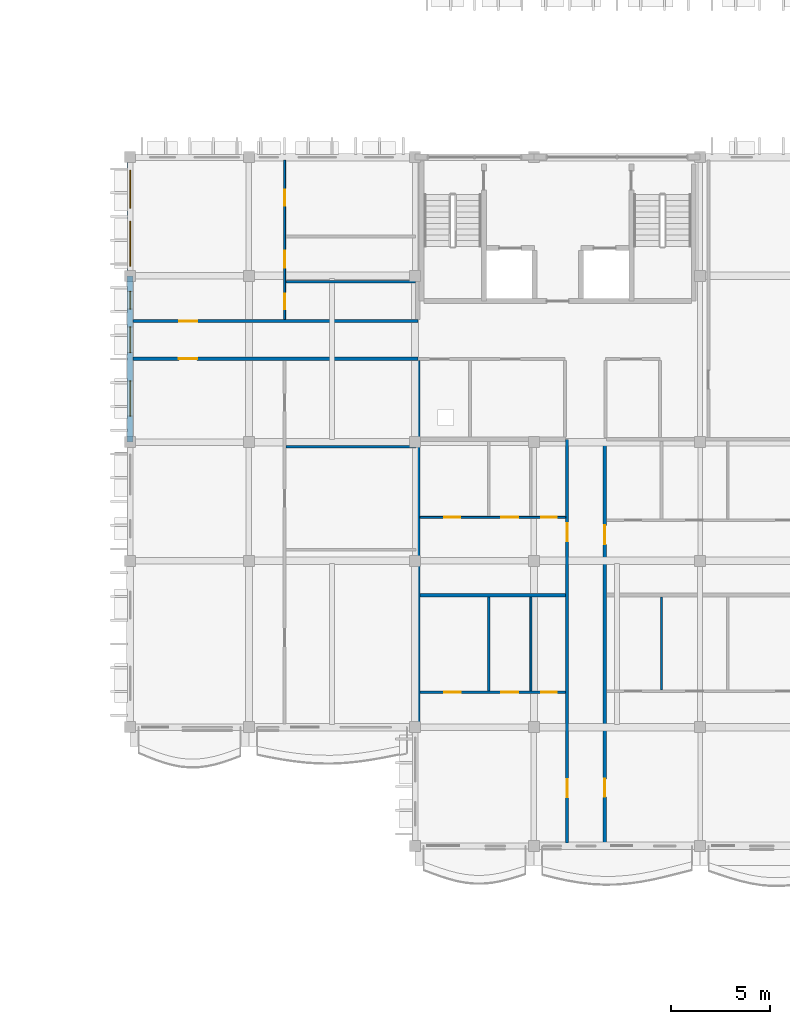
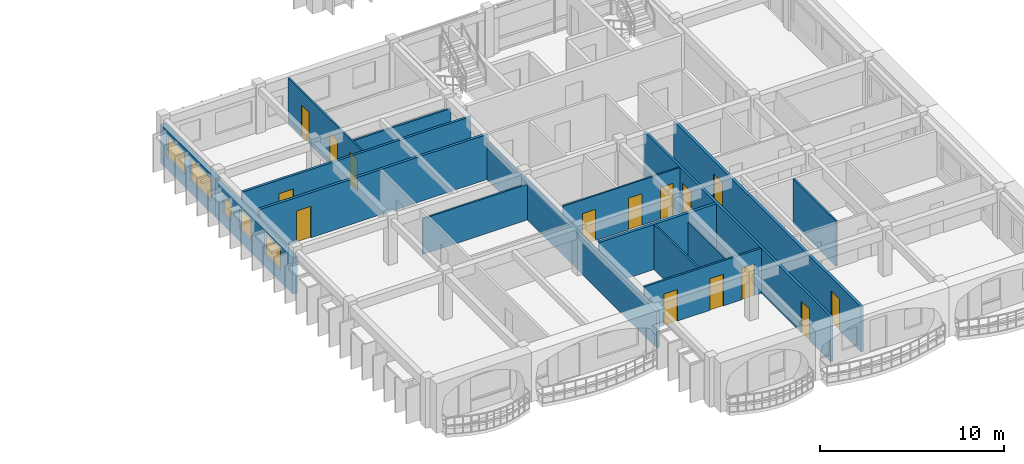
# One storey, part 32 of 70: 16 walls, 15 doors, 5 windows, 20 openings.
"""IFC4 building model written with IfcOpenShell, lengths in metres."""

from ifc_helpers import new_model, si_unit, direction, frame, frame_2d, origin, place, context, subcontext, project, spatial, rectangle, extrude, material, layer, layer_set, type_object, element, fill, save


model = new_model("IFC4")

# Units and contexts
model_context = context("Model", 3, precision=1e-05, world=origin(), true_north=direction((0.0, 1.0)))
body_context = subcontext(model_context, "Body", "Model", "MODEL_VIEW")
ifc_project = project(units=[si_unit("LENGTHUNIT", "METRE"), si_unit("AREAUNIT", "SQUARE_METRE"), si_unit("VOLUMEUNIT", "CUBIC_METRE"), si_unit("PLANEANGLEUNIT", "RADIAN"), si_unit("MASSUNIT", "GRAM", prefix="KILO"), si_unit("THERMODYNAMICTEMPERATUREUNIT", "KELVIN")], contexts=[model_context])

# Site, building, storey
site_placement = place(None, origin())
site = spatial("IfcSite", under=ifc_project, at=site_placement, CompositionType="ELEMENT")
building_placement = place(site_placement, origin())
building = spatial("IfcBuilding", under=site, at=building_placement, Name="Thalorik Housing Commons", CompositionType="ELEMENT")
storey_placement = place(building_placement, frame((0.0, 0.0, 14.699951171875)))
storey = spatial("IfcBuildingStorey", under=building, at=storey_placement, Name="L04", CompositionType="ELEMENT", Elevation=14.699951171875)

# Wall, openings, doors
ifc_material_1 = material(Name="Masonry fire-rated corridor wall", Category="masonry")
ifc_layer_1 = layer(ifc_material_1, 0.14990234375, Name="Masonry fire-rated corridor wall", Category="masonry")
ifc_layer_set_1 = layer_set([ifc_layer_1], Name="Masonry fire-rated corridor wall")
wall_type_1 = type_object("IfcWallType", Name="ARC-WAL-CORR-150", PredefinedType="PARTITIONING", material=ifc_layer_set_1)
wall_1_placement = place(storey_placement, frame((160.080078125, 37.3544921875, 0.0), z_axis=(0.0, 0.0, 1.0), x_axis=(0.0, 1.0, 0.0)))
wall_1 = element("IfcWall", 1, at=wall_1_placement, inside=storey, type_object=wall_type_1, Name="L04 Block D E Corridor Wall 1", PredefinedType="PARTITIONING", context=body_context, shape_type="SweptSolid", body=[
    extrude(rectangle(XDim=20.385498046875, YDim=0.14990234375, at=frame_2d((10.19287109375, 0.0))), origin(), (0.0, 0.0, 1.0), 3.0),
])
opening_1_placement = place(wall_1_placement, frame((2.30224609375, 0.0, 0.0)))
opening_1 = element("IfcOpeningElement", 2, at=opening_1_placement, cuts=wall_1, Name="Opening ID-2062", PredefinedType="OPENING", context=body_context, shape_type="SweptSolid", body=[
    extrude(rectangle(XDim=0.919921875, YDim=2.10009765625, at=frame_2d((0.4599609375, 1.050048828125))), frame((0.0, 0.0849609375, 0.0), z_axis=(0.0, -1.0, 0.0), x_axis=(1.0, 0.0, 0.0)), (0.0, 0.0, 1.0), 0.169921875),
])
opening_2_placement = place(wall_1_placement, frame((15.240478515625, 0.0, 0.0)))
opening_2 = element("IfcOpeningElement", 3, at=opening_2_placement, cuts=wall_1, Name="Opening ID-2063", PredefinedType="OPENING", context=body_context, shape_type="SweptSolid", body=[
    extrude(rectangle(XDim=0.919921875, YDim=2.10009765625, at=frame_2d((0.4599609375, 1.050048828125))), frame((0.0, 0.0849609375, 0.0), z_axis=(0.0, -1.0, 0.0), x_axis=(1.0, 0.0, 0.0)), (0.0, 0.0, 1.0), 0.169921875),
])
ifc_material_2 = material(Name="Solid core hardwood timber", Category="wood")
door_type_1 = type_object("IfcDoorType", Name="ARC-DR-FD30-920", OperationType="NOTDEFINED", PredefinedType="DOOR", material=ifc_material_2)
door_1_placement = place(opening_1_placement, origin())
door_1 = element("IfcDoor", 4, at=door_1_placement, inside=storey, type_object=door_type_1, Name="L04 Flat DE-1A Entrance Door", OperationType="SINGLE_SWING_LEFT", OverallHeight=2.10009765625, OverallWidth=0.919921875, PredefinedType="DOOR", context=body_context, shape_type="SweptSolid", body=[
    extrude(rectangle(XDim=0.919921875, YDim=2.10009765625, at=frame_2d((0.4599609375, 1.050048828125))), frame((0.0, 0.02490234375, 0.0), z_axis=(0.0, -1.0, 0.0), x_axis=(1.0, 0.0, 0.0)), (0.0, 0.0, 1.0), 0.050048828125),
])
fill(opening_1, door_1)
door_2_placement = place(opening_2_placement, origin())
door_2 = element("IfcDoor", 5, at=door_2_placement, inside=storey, type_object=door_type_1, Name="L04 Flat DE-2A Entrance Door", OperationType="SINGLE_SWING_RIGHT", OverallHeight=2.10009765625, OverallWidth=0.919921875, PredefinedType="DOOR", context=body_context, shape_type="SweptSolid", body=[
    extrude(rectangle(XDim=0.919921875, YDim=2.10009765625, at=frame_2d((0.4599609375, 1.050048828125))), frame((0.0, 0.02490234375, 0.0), z_axis=(0.0, -1.0, 0.0), x_axis=(1.0, 0.0, 0.0)), (0.0, 0.0, 1.0), 0.050048828125),
])
fill(opening_2, door_2)

# Wall, opening, door
wall_2_placement = place(storey_placement, frame((138.154541015625, 63.719970703125, 0.0), z_axis=(0.0, 0.0, 1.0), x_axis=(1.0, 0.0, 0.0)))
wall_2 = element("IfcWall", 6, at=wall_2_placement, inside=storey, type_object=wall_type_1, Name="L04 Block D R Corridor Wall 2", PredefinedType="PARTITIONING", context=body_context, shape_type="SweptSolid", body=[
    extrude(rectangle(XDim=14.385498046875, YDim=0.14990234375, at=frame_2d((7.19287109375, 0.0))), origin(), (0.0, 0.0, 1.0), 3.0),
])
opening_3_placement = place(wall_2_placement, frame((2.31787109375, 0.0, 0.0)))
opening_3 = element("IfcOpeningElement", 7, at=opening_3_placement, cuts=wall_2, Name="Opening ID-2074", PredefinedType="OPENING", context=body_context, shape_type="SweptSolid", body=[
    extrude(rectangle(XDim=0.919921875, YDim=2.10009765625, at=frame_2d((0.4599609375, 1.050048828125))), frame((0.0, 0.0849609375, 0.0), z_axis=(0.0, -1.0, 0.0), x_axis=(1.0, 0.0, 0.0)), (0.0, 0.0, 1.0), 0.169921875),
])
door_3_placement = place(opening_3_placement, origin())
door_3 = element("IfcDoor", 8, at=door_3_placement, inside=storey, type_object=door_type_1, Name="L04 Flat DR-1B Entrance Door", OperationType="SINGLE_SWING_LEFT", OverallHeight=2.10009765625, OverallWidth=0.919921875, PredefinedType="DOOR", context=body_context, shape_type="SweptSolid", body=[
    extrude(rectangle(XDim=0.919921875, YDim=2.10009765625, at=frame_2d((0.4599609375, 1.050048828125))), frame((0.0, 0.02490234375, 0.0), z_axis=(0.0, -1.0, 0.0), x_axis=(1.0, 0.0, 0.0)), (0.0, 0.0, 1.0), 0.050048828125),
])
fill(opening_3, door_3)

# Wall, openings, doors
ifc_layer_2 = layer(ifc_material_1, 0.1650390625, Name="Masonry fire-rated corridor wall", Category="masonry")
ifc_layer_set_2 = layer_set([ifc_layer_2], Name="Masonry fire-rated corridor wall")
wall_type_2 = type_object("IfcWallType", Name="ARC-WAL-CORR-165", PredefinedType="PARTITIONING", material=ifc_layer_set_2)
wall_3_placement = place(storey_placement, frame((161.97998046875, 37.3544921875, 0.0), z_axis=(0.0, 0.0, 1.0), x_axis=(0.0, 1.0, 0.0)))
wall_3 = element("IfcWall", 9, at=wall_3_placement, inside=storey, type_object=wall_type_2, Name="L04 Block D E Corridor Wall 2", PredefinedType="PARTITIONING", context=body_context, shape_type="SweptSolid", body=[
    extrude(rectangle(XDim=20.385498046875, YDim=0.1650390625, at=frame_2d((10.19287109375, 0.0))), origin(), (0.0, 0.0, 1.0), 3.0),
])
opening_4_placement = place(wall_3_placement, frame((2.318603515625, 0.0, 0.0)))
opening_4 = element("IfcOpeningElement", 10, at=opening_4_placement, cuts=wall_3, Name="Opening ID-2064", PredefinedType="OPENING", context=body_context, shape_type="SweptSolid", body=[
    extrude(rectangle(XDim=0.919921875, YDim=2.10009765625, at=frame_2d((0.4599609375, 1.050048828125))), frame((0.0, 0.092529296875, 0.0), z_axis=(0.0, -1.0, 0.0), x_axis=(1.0, 0.0, 0.0)), (0.0, 0.0, 1.0), 0.18505859375),
])
opening_5_placement = place(wall_3_placement, frame((15.0830078125, 0.0, 0.0)))
opening_5 = element("IfcOpeningElement", 11, at=opening_5_placement, cuts=wall_3, Name="Opening ID-2065", PredefinedType="OPENING", context=body_context, shape_type="SweptSolid", body=[
    extrude(rectangle(XDim=0.9599609375, YDim=2.1201171875, at=frame_2d((0.47998046875, 1.06005859375))), frame((0.0, 0.092529296875, 0.0), z_axis=(0.0, -1.0, 0.0), x_axis=(1.0, 0.0, 0.0)), (0.0, 0.0, 1.0), 0.18505859375),
])
door_4_placement = place(opening_4_placement, origin())
door_4 = element("IfcDoor", 12, at=door_4_placement, inside=storey, type_object=door_type_1, Name="L04 Flat DE-1B Entrance Door", OperationType="SINGLE_SWING_LEFT", OverallHeight=2.10009765625, OverallWidth=0.919921875, PredefinedType="DOOR", context=body_context, shape_type="SweptSolid", body=[
    extrude(rectangle(XDim=0.919921875, YDim=2.10009765625, at=frame_2d((0.4599609375, 1.050048828125))), frame((0.0, 0.02490234375, 0.0), z_axis=(0.0, -1.0, 0.0), x_axis=(1.0, 0.0, 0.0)), (0.0, 0.0, 1.0), 0.050048828125),
])
fill(opening_4, door_4)
door_type_2 = type_object("IfcDoorType", Name="ARC-DR-FD30-960", OperationType="NOTDEFINED", PredefinedType="DOOR", material=ifc_material_2)
door_5_placement = place(opening_5_placement, origin())
door_5 = element("IfcDoor", 13, at=door_5_placement, inside=storey, type_object=door_type_2, Name="L04 Flat DE-2B Entrance Door", OperationType="SINGLE_SWING_RIGHT", OverallHeight=2.1201171875, OverallWidth=0.9599609375, PredefinedType="DOOR", context=body_context, shape_type="SweptSolid", body=[
    extrude(rectangle(XDim=0.9599609375, YDim=2.1201171875, at=frame_2d((0.47998046875, 1.06005859375))), frame((0.0, 0.02490234375, 0.0), z_axis=(0.0, -1.0, 0.0), x_axis=(1.0, 0.0, 0.0)), (0.0, 0.0, 1.0), 0.050048828125),
])
fill(opening_5, door_5)

# Wall, opening, door
wall_4_placement = place(storey_placement, frame((138.154541015625, 61.820068359375, 0.0), z_axis=(0.0, 0.0, 1.0), x_axis=(1.0, 0.0, 0.0)))
wall_4 = element("IfcWall", 14, at=wall_4_placement, inside=storey, type_object=wall_type_2, Name="L04 Block D R Corridor Wall 1", PredefinedType="PARTITIONING", context=body_context, shape_type="SweptSolid", body=[
    extrude(rectangle(XDim=14.385498046875, YDim=0.1650390625, at=frame_2d((7.19287109375, 0.0))), origin(), (0.0, 0.0, 1.0), 3.0),
])
opening_6_placement = place(wall_4_placement, frame((2.314208984375, 0.0, 0.0)))
opening_6 = element("IfcOpeningElement", 15, at=opening_6_placement, cuts=wall_4, Name="Opening ID-2073", PredefinedType="OPENING", context=body_context, shape_type="SweptSolid", body=[
    extrude(rectangle(XDim=0.919921875, YDim=2.10009765625, at=frame_2d((0.4599609375, 1.050048828125))), frame((0.0, 0.092529296875, 0.0), z_axis=(0.0, -1.0, 0.0), x_axis=(1.0, 0.0, 0.0)), (0.0, 0.0, 1.0), 0.18505859375),
])
door_6_placement = place(opening_6_placement, origin())
door_6 = element("IfcDoor", 16, at=door_6_placement, inside=storey, type_object=door_type_1, Name="L04 Flat DR-1A Entrance Door", OperationType="SINGLE_SWING_RIGHT", OverallHeight=2.10009765625, OverallWidth=0.919921875, PredefinedType="DOOR", context=body_context, shape_type="SweptSolid", body=[
    extrude(rectangle(XDim=0.919921875, YDim=2.10009765625, at=frame_2d((0.4599609375, 1.050048828125))), frame((0.0, 0.02490234375, 0.0), z_axis=(0.0, -1.0, 0.0), x_axis=(1.0, 0.0, 0.0)), (0.0, 0.0, 1.0), 0.050048828125),
])
fill(opening_6, door_6)

# Wall, openings, windows
ifc_material_3 = material(Name="White precast concrete C40/50", Category="concrete")
ifc_layer_3 = layer(ifc_material_3, 0.304931640625, Name="White precast concrete C40/50", Category="concrete")
ifc_layer_set_3 = layer_set([ifc_layer_3], Name="White precast concrete C40/50")
wall_type_3 = type_object("IfcWallType", Name="ARC-WAL-EXT-305", PredefinedType="STANDARD", material=ifc_layer_set_3)
wall_5_placement = place(storey_placement, frame((138.0, 72.0, 0.0), z_axis=(0.0, 0.0, 1.0), x_axis=(0.0, -1.0, 0.0)))
wall_5 = element("IfcWall", 17, at=wall_5_placement, inside=storey, type_object=wall_type_3, Name="L04 Exterior Wall WAL-EXT-L04-D-1187", PredefinedType="STANDARD", context=body_context, shape_type="SweptSolid", body=[
    extrude(rectangle(XDim=6.0, YDim=0.304931640625, at=frame_2d((3.0, 0.0))), origin(), (0.0, 0.0, 1.0), 2.574951171875),
])
opening_7_placement = place(wall_5_placement, frame((0.669921875, 0.0, 0.780029296875)))
opening_7 = element("IfcOpeningElement", 18, at=opening_7_placement, cuts=wall_5, Name="Opening W-60", PredefinedType="OPENING", context=body_context, shape_type="SweptSolid", body=[
    extrude(rectangle(XDim=1.919921875, YDim=1.43994140625, at=frame_2d((0.9599609375, 0.719970703125))), frame((0.0, 0.16259765625, 0.0), z_axis=(0.0, -1.0, 0.0), x_axis=(1.0, 0.0, 0.0)), (0.0, 0.0, 1.0), 0.324951171875),
])
opening_8_placement = place(wall_5_placement, frame((3.22998046875, 0.0, 0.780029296875)))
opening_8 = element("IfcOpeningElement", 19, at=opening_8_placement, cuts=wall_5, Name="Opening W-67", PredefinedType="OPENING", context=body_context, shape_type="SweptSolid", body=[
    extrude(rectangle(XDim=2.280029296875, YDim=1.4599609375, at=frame_2d((1.14013671875, 0.72998046875))), frame((0.0, 0.16259765625, 0.0), z_axis=(0.0, -1.0, 0.0), x_axis=(1.0, 0.0, 0.0)), (0.0, 0.0, 1.0), 0.324951171875),
])
ifc_material_4 = material(Name="Anodised aluminium and solar-control low-E glass", Category="aluminium")
window_type_1 = type_object("IfcWindowType", Name="ARC-WIN-60", PartitioningType="DOUBLE_PANEL_VERTICAL", PredefinedType="WINDOW", material=ifc_material_4)
window_1_placement = place(opening_7_placement, origin())
window_1 = element("IfcWindow", 20, at=window_1_placement, inside=storey, type_object=window_type_1, Name="L04 Facade Window 2170", OverallHeight=1.43994140625, OverallWidth=1.919921875, PartitioningType="DOUBLE_PANEL_VERTICAL", PredefinedType="WINDOW", context=body_context, shape_type="SweptSolid", body=[
    extrude(rectangle(XDim=1.919921875, YDim=1.43994140625, at=frame_2d((0.9599609375, 0.719970703125))), frame((0.0, 0.030029296875, 0.0), z_axis=(0.0, -1.0, 0.0), x_axis=(1.0, 0.0, 0.0)), (0.0, 0.0, 1.0), 0.06005859375),
])
fill(opening_7, window_1)
window_type_2 = type_object("IfcWindowType", Name="ARC-WIN-67", PartitioningType="DOUBLE_PANEL_VERTICAL", PredefinedType="WINDOW", material=ifc_material_4)
window_2_placement = place(opening_8_placement, origin())
window_2 = element("IfcWindow", 21, at=window_2_placement, inside=storey, type_object=window_type_2, Name="L04 Facade Window 2171", OverallHeight=1.4599609375, OverallWidth=2.280029296875, PartitioningType="DOUBLE_PANEL_VERTICAL", PredefinedType="WINDOW", context=body_context, shape_type="SweptSolid", body=[
    extrude(rectangle(XDim=2.280029296875, YDim=1.4599609375, at=frame_2d((1.14013671875, 0.72998046875))), frame((0.0, 0.030029296875, 0.0), z_axis=(0.0, -1.0, 0.0), x_axis=(1.0, 0.0, 0.0)), (0.0, 0.0, 1.0), 0.06005859375),
])
fill(opening_8, window_2)

wall_6_placement = place(storey_placement, frame((138.0, 66.0, 0.0), z_axis=(0.0, 0.0, 1.0), x_axis=(0.0, -1.0, 0.0)))
wall_6 = element("IfcWall", 22, at=wall_6_placement, inside=storey, type_object=wall_type_3, Name="L04 Exterior Wall WAL-EXT-L04-D-1188", PredefinedType="STANDARD", context=body_context, shape_type="SweptSolid", body=[
    extrude(rectangle(XDim=8.39990234375, YDim=0.304931640625, at=frame_2d((4.199951171875, 0.0))), origin(), (0.0, 0.0, 1.0), 2.425048828125),
])
opening_9_placement = place(wall_6_placement, frame((0.784912109375, 0.0, 0.780029296875)))
opening_9 = element("IfcOpeningElement", 23, at=opening_9_placement, cuts=wall_6, Name="Opening W-01", PredefinedType="OPENING", context=body_context, shape_type="SweptSolid", body=[
    extrude(rectangle(XDim=0.89990234375, YDim=1.199951171875, at=frame_2d((0.449951171875, 0.60009765625))), frame((0.0, 0.16259765625, 0.0), z_axis=(0.0, -1.0, 0.0), x_axis=(1.0, 0.0, 0.0)), (0.0, 0.0, 1.0), 0.324951171875),
])
opening_10_placement = place(wall_6_placement, frame((2.580078125, 0.0, 0.780029296875)))
opening_10 = element("IfcOpeningElement", 24, at=opening_10_placement, cuts=wall_6, Name="Opening W-06", PredefinedType="OPENING", context=body_context, shape_type="SweptSolid", body=[
    extrude(rectangle(XDim=1.300048828125, YDim=1.39990234375, at=frame_2d((0.64990234375, 0.699951171875))), frame((0.0, 0.16259765625, 0.0), z_axis=(0.0, -1.0, 0.0), x_axis=(1.0, 0.0, 0.0)), (0.0, 0.0, 1.0), 0.324951171875),
])
opening_11_placement = place(wall_6_placement, frame((5.304931640625, 0.0, 0.780029296875)))
opening_11 = element("IfcOpeningElement", 25, at=opening_11_placement, cuts=wall_6, Name="Opening W-57", PredefinedType="OPENING", context=body_context, shape_type="SweptSolid", body=[
    extrude(rectangle(XDim=1.780029296875, YDim=1.419921875, at=frame_2d((0.89013671875, 0.7099609375))), frame((0.0, 0.16259765625, 0.0), z_axis=(0.0, -1.0, 0.0), x_axis=(1.0, 0.0, 0.0)), (0.0, 0.0, 1.0), 0.324951171875),
])
window_type_3 = type_object("IfcWindowType", Name="ARC-WIN-01", PartitioningType="SINGLE_PANEL", PredefinedType="WINDOW", material=ifc_material_4)
window_3_placement = place(opening_9_placement, origin())
window_3 = element("IfcWindow", 26, at=window_3_placement, inside=storey, type_object=window_type_3, Name="L04 Facade Window 2172", OverallHeight=1.199951171875, OverallWidth=0.89990234375, PartitioningType="SINGLE_PANEL", PredefinedType="WINDOW", context=body_context, shape_type="SweptSolid", body=[
    extrude(rectangle(XDim=0.89990234375, YDim=1.199951171875, at=frame_2d((0.449951171875, 0.60009765625))), frame((0.0, 0.030029296875, 0.0), z_axis=(0.0, -1.0, 0.0), x_axis=(1.0, 0.0, 0.0)), (0.0, 0.0, 1.0), 0.06005859375),
])
fill(opening_9, window_3)
window_type_4 = type_object("IfcWindowType", Name="ARC-WIN-06", PartitioningType="SINGLE_PANEL", PredefinedType="WINDOW", material=ifc_material_4)
window_4_placement = place(opening_10_placement, origin())
window_4 = element("IfcWindow", 27, at=window_4_placement, inside=storey, type_object=window_type_4, Name="L04 Facade Window 2173", OverallHeight=1.39990234375, OverallWidth=1.300048828125, PartitioningType="SINGLE_PANEL", PredefinedType="WINDOW", context=body_context, shape_type="SweptSolid", body=[
    extrude(rectangle(XDim=1.300048828125, YDim=1.39990234375, at=frame_2d((0.64990234375, 0.699951171875))), frame((0.0, 0.030029296875, 0.0), z_axis=(0.0, -1.0, 0.0), x_axis=(1.0, 0.0, 0.0)), (0.0, 0.0, 1.0), 0.06005859375),
])
fill(opening_10, window_4)
window_type_5 = type_object("IfcWindowType", Name="ARC-WIN-57", PartitioningType="DOUBLE_PANEL_VERTICAL", PredefinedType="WINDOW", material=ifc_material_4)
window_5_placement = place(opening_11_placement, origin())
window_5 = element("IfcWindow", 28, at=window_5_placement, inside=storey, type_object=window_type_5, Name="L04 Facade Window 2174", OverallHeight=1.419921875, OverallWidth=1.780029296875, PartitioningType="DOUBLE_PANEL_VERTICAL", PredefinedType="WINDOW", context=body_context, shape_type="SweptSolid", body=[
    extrude(rectangle(XDim=1.780029296875, YDim=1.419921875, at=frame_2d((0.89013671875, 0.7099609375))), frame((0.0, 0.030029296875, 0.0), z_axis=(0.0, -1.0, 0.0), x_axis=(1.0, 0.0, 0.0)), (0.0, 0.0, 1.0), 0.06005859375),
])
fill(opening_11, window_5)

# Wall
ifc_material_5 = material(Name="Gypsum light stud partition", Category="masonry")
ifc_layer_4 = layer(ifc_material_5, 0.10009765625, Name="Gypsum light stud partition", Category="masonry")
ifc_layer_set_4 = layer_set([ifc_layer_4], Name="Gypsum light stud partition")
wall_type_4 = type_object("IfcWallType", Name="ARC-WAL-PART-100", PredefinedType="PARTITIONING", material=ifc_layer_set_4)
wall_7_placement = place(storey_placement, frame((158.251220703125, 45.029541015625, 0.0), z_axis=(0.0, 0.0, 1.0), x_axis=(0.0, 1.0, 0.0)))
element("IfcWall", 29, at=wall_7_placement, inside=storey, type_object=wall_type_4, Name="L04 Unit 1 Wet Wall", PredefinedType="PARTITIONING", context=body_context, shape_type="SweptSolid", body=[
    extrude(rectangle(XDim=4.745849609375, YDim=0.10009765625, at=frame_2d((2.373046875, 0.0))), origin(), (0.0, 0.0, 1.0), 2.425048828125),
])

# Wall, openings, doors
wall_8_placement = place(storey_placement, frame((152.64208984375, 53.804931640625, 0.0), z_axis=(0.0, 0.0, 1.0), x_axis=(1.0, 0.0, 0.0)))
wall_8 = element("IfcWall", 30, at=wall_8_placement, inside=storey, type_object=wall_type_4, Name="L04 Unit 2 Spine Partition", PredefinedType="PARTITIONING", context=body_context, shape_type="SweptSolid", body=[
    extrude(rectangle(XDim=7.36083984375, YDim=0.10009765625, at=frame_2d((3.680419921875, 0.0))), origin(), (0.0, 0.0, 1.0), 3.0),
])
opening_12_placement = place(wall_8_placement, frame((1.2216796875, 0.0, 0.0)))
opening_12 = element("IfcOpeningElement", 31, at=opening_12_placement, cuts=wall_8, Name="Opening ID-2056", PredefinedType="OPENING", context=body_context, shape_type="SweptSolid", body=[
    extrude(rectangle(XDim=0.820068359375, YDim=2.080078125, at=frame_2d((0.41015625, 1.0400390625))), frame((0.0, 0.06005859375, 0.0), z_axis=(0.0, -1.0, 0.0), x_axis=(1.0, 0.0, 0.0)), (0.0, 0.0, 1.0), 0.1201171875),
])
opening_13_placement = place(wall_8_placement, frame((4.117431640625, 0.0, 0.0)))
opening_13 = element("IfcOpeningElement", 32, at=opening_13_placement, cuts=wall_8, Name="Opening ID-2057", PredefinedType="OPENING", context=body_context, shape_type="SweptSolid", body=[
    extrude(rectangle(XDim=0.85009765625, YDim=2.10009765625, at=frame_2d((0.425048828125, 1.050048828125))), frame((0.0, 0.06005859375, 0.0), z_axis=(0.0, -1.0, 0.0), x_axis=(1.0, 0.0, 0.0)), (0.0, 0.0, 1.0), 0.1201171875),
])
opening_14_placement = place(wall_8_placement, frame((6.12353515625, 0.0, 0.0)))
opening_14 = element("IfcOpeningElement", 33, at=opening_14_placement, cuts=wall_8, Name="Opening ID-2058", PredefinedType="OPENING", context=body_context, shape_type="SweptSolid", body=[
    extrude(rectangle(XDim=0.800048828125, YDim=2.10009765625, at=frame_2d((0.39990234375, 1.050048828125))), frame((0.0, 0.06005859375, 0.0), z_axis=(0.0, -1.0, 0.0), x_axis=(1.0, 0.0, 0.0)), (0.0, 0.0, 1.0), 0.1201171875),
])
ifc_material_6 = material(Name="Moisture-resistant timber", Category="wood")
door_type_3 = type_object("IfcDoorType", Name="ARC-DR-INT-800", OperationType="NOTDEFINED", PredefinedType="DOOR", material=ifc_material_6)
door_7_placement = place(opening_14_placement, origin())
door_7 = element("IfcDoor", 34, at=door_7_placement, inside=storey, type_object=door_type_3, Name="L04 Flat Bathroom Door", OperationType="SINGLE_SWING_LEFT", OverallHeight=2.10009765625, OverallWidth=0.800048828125, PredefinedType="DOOR", context=body_context, shape_type="SweptSolid", body=[
    extrude(rectangle(XDim=0.800048828125, YDim=2.10009765625, at=frame_2d((0.39990234375, 1.050048828125))), frame((0.0, 0.02490234375, 0.0), z_axis=(0.0, -1.0, 0.0), x_axis=(1.0, 0.0, 0.0)), (0.0, 0.0, 1.0), 0.050048828125),
])
fill(opening_14, door_7)
ifc_material_7 = material(Name="Engineered oak timber", Category="wood")
door_type_4 = type_object("IfcDoorType", Name="ARC-DR-INT-820", OperationType="NOTDEFINED", PredefinedType="DOOR", material=ifc_material_7)
door_8_placement = place(opening_12_placement, origin())
door_8 = element("IfcDoor", 35, at=door_8_placement, inside=storey, type_object=door_type_4, Name="L04 Master Bedroom Door", OperationType="SINGLE_SWING_LEFT", OverallHeight=2.080078125, OverallWidth=0.820068359375, PredefinedType="DOOR", context=body_context, shape_type="SweptSolid", body=[
    extrude(rectangle(XDim=0.820068359375, YDim=2.080078125, at=frame_2d((0.41015625, 1.0400390625))), frame((0.0, 0.02490234375, 0.0), z_axis=(0.0, -1.0, 0.0), x_axis=(1.0, 0.0, 0.0)), (0.0, 0.0, 1.0), 0.050048828125),
])
fill(opening_12, door_8)
door_type_5 = type_object("IfcDoorType", Name="ARC-DR-INT-850", OperationType="NOTDEFINED", PredefinedType="DOOR", material=ifc_material_7)
door_9_placement = place(opening_13_placement, origin())
door_9 = element("IfcDoor", 36, at=door_9_placement, inside=storey, type_object=door_type_5, Name="L04 Eat-In Kitchen Door", OperationType="SINGLE_SWING_RIGHT", OverallHeight=2.10009765625, OverallWidth=0.85009765625, PredefinedType="DOOR", context=body_context, shape_type="SweptSolid", body=[
    extrude(rectangle(XDim=0.85009765625, YDim=2.10009765625, at=frame_2d((0.425048828125, 1.050048828125))), frame((0.0, 0.02490234375, 0.0), z_axis=(0.0, -1.0, 0.0), x_axis=(1.0, 0.0, 0.0)), (0.0, 0.0, 1.0), 0.050048828125),
])
fill(opening_13, door_9)

wall_9_placement = place(storey_placement, frame((145.810302734375, 63.797119140625, 0.0), z_axis=(0.0, 0.0, 1.0), x_axis=(0.0, 1.0, 0.0)))
wall_9 = element("IfcWall", 37, at=wall_9_placement, inside=storey, type_object=wall_type_4, Name="L04 Unit 1B Spine Partition", PredefinedType="PARTITIONING", context=body_context, shape_type="SweptSolid", body=[
    extrude(rectangle(XDim=8.04833984375, YDim=0.10009765625, at=frame_2d((4.024169921875, 0.0))), origin(), (0.0, 0.0, 1.0), 3.0),
])
opening_15_placement = place(wall_9_placement, frame((0.509521484375, 0.0, 0.0)))
opening_15 = element("IfcOpeningElement", 38, at=opening_15_placement, cuts=wall_9, Name="Opening ID-2070", PredefinedType="OPENING", context=body_context, shape_type="SweptSolid", body=[
    extrude(rectangle(XDim=0.800048828125, YDim=2.10009765625, at=frame_2d((0.39990234375, 1.050048828125))), frame((0.0, 0.06005859375, 0.0), z_axis=(0.0, -1.0, 0.0), x_axis=(1.0, 0.0, 0.0)), (0.0, 0.0, 1.0), 0.1201171875),
])
opening_16_placement = place(wall_9_placement, frame((2.62158203125, 0.0, 0.0)))
opening_16 = element("IfcOpeningElement", 39, at=opening_16_placement, cuts=wall_9, Name="Opening ID-2071", PredefinedType="OPENING", context=body_context, shape_type="SweptSolid", body=[
    extrude(rectangle(XDim=0.85009765625, YDim=2.10009765625, at=frame_2d((0.425048828125, 1.050048828125))), frame((0.0, 0.06005859375, 0.0), z_axis=(0.0, -1.0, 0.0), x_axis=(1.0, 0.0, 0.0)), (0.0, 0.0, 1.0), 0.1201171875),
])
opening_17_placement = place(wall_9_placement, frame((5.7451171875, 0.0, 0.0)))
opening_17 = element("IfcOpeningElement", 40, at=opening_17_placement, cuts=wall_9, Name="Opening ID-2072", PredefinedType="OPENING", context=body_context, shape_type="SweptSolid", body=[
    extrude(rectangle(XDim=0.820068359375, YDim=2.080078125, at=frame_2d((0.41015625, 1.0400390625))), frame((0.0, 0.06005859375, 0.0), z_axis=(0.0, -1.0, 0.0), x_axis=(1.0, 0.0, 0.0)), (0.0, 0.0, 1.0), 0.1201171875),
])
door_10_placement = place(opening_15_placement, origin())
door_10 = element("IfcDoor", 41, at=door_10_placement, inside=storey, type_object=door_type_3, Name="L04 Accessible Bathroom Door", OperationType="SINGLE_SWING_LEFT", OverallHeight=2.10009765625, OverallWidth=0.800048828125, PredefinedType="DOOR", context=body_context, shape_type="SweptSolid", body=[
    extrude(rectangle(XDim=0.800048828125, YDim=2.10009765625, at=frame_2d((0.39990234375, 1.050048828125))), frame((0.0, 0.02490234375, 0.0), z_axis=(0.0, -1.0, 0.0), x_axis=(1.0, 0.0, 0.0)), (0.0, 0.0, 1.0), 0.050048828125),
])
fill(opening_15, door_10)
door_11_placement = place(opening_17_placement, origin())
door_11 = element("IfcDoor", 42, at=door_11_placement, inside=storey, type_object=door_type_4, Name="L04 Double Bedroom Door", OperationType="SINGLE_SWING_LEFT", OverallHeight=2.080078125, OverallWidth=0.820068359375, PredefinedType="DOOR", context=body_context, shape_type="SweptSolid", body=[
    extrude(rectangle(XDim=0.820068359375, YDim=2.080078125, at=frame_2d((0.41015625, 1.0400390625))), frame((0.0, 0.02490234375, 0.0), z_axis=(0.0, -1.0, 0.0), x_axis=(1.0, 0.0, 0.0)), (0.0, 0.0, 1.0), 0.050048828125),
])
fill(opening_17, door_11)
door_12_placement = place(opening_16_placement, origin())
door_12 = element("IfcDoor", 43, at=door_12_placement, inside=storey, type_object=door_type_5, Name="L04 Eat-In Kitchen Door", OperationType="SINGLE_SWING_RIGHT", OverallHeight=2.10009765625, OverallWidth=0.85009765625, PredefinedType="DOOR", context=body_context, shape_type="SweptSolid", body=[
    extrude(rectangle(XDim=0.85009765625, YDim=2.10009765625, at=frame_2d((0.425048828125, 1.050048828125))), frame((0.0, 0.02490234375, 0.0), z_axis=(0.0, -1.0, 0.0), x_axis=(1.0, 0.0, 0.0)), (0.0, 0.0, 1.0), 0.050048828125),
])
fill(opening_16, door_12)

# Walls
ifc_material_8 = material(Name="Gypsum moisture-resistant partition", Category="masonry")
ifc_layer_5 = layer(ifc_material_8, 0.114990234375, Name="Gypsum moisture-resistant partition", Category="masonry")
ifc_layer_set_5 = layer_set([ifc_layer_5], Name="Gypsum moisture-resistant partition")
wall_type_5 = type_object("IfcWallType", Name="ARC-WAL-PART-115", PredefinedType="PARTITIONING", material=ifc_layer_set_5)
wall_10_placement = place(storey_placement, frame((156.11767578125, 45.029541015625, 0.0), z_axis=(0.0, 0.0, 1.0), x_axis=(0.0, 1.0, 0.0)))
element("IfcWall", 44, at=wall_10_placement, inside=storey, type_object=wall_type_5, Name="L04 Unit 1 Bedroom Partition", PredefinedType="PARTITIONING", context=body_context, shape_type="SweptSolid", body=[
    extrude(rectangle(XDim=4.745849609375, YDim=0.114990234375, at=frame_2d((2.373046875, 0.0))), origin(), (0.0, 0.0, 1.0), 3.0),
])
wall_11_placement = place(storey_placement, frame((164.850341796875, 45.084716796875, 0.0), z_axis=(0.0, 0.0, 1.0), x_axis=(0.0, 1.0, 0.0)))
element("IfcWall", 45, at=wall_11_placement, inside=storey, type_object=wall_type_5, Name="L04 Unit 1B Wet Wall", PredefinedType="PARTITIONING", context=body_context, shape_type="SweptSolid", body=[
    extrude(rectangle(XDim=4.683349609375, YDim=0.114990234375, at=frame_2d((2.341796875, 0.0))), origin(), (0.0, 0.0, 1.0), 3.0),
])
wall_12_placement = place(storey_placement, frame((145.8720703125, 57.365478515625, 0.0), z_axis=(0.0, 0.0, 1.0), x_axis=(1.0, 0.0, 0.0)))
element("IfcWall", 46, at=wall_12_placement, inside=storey, type_object=wall_type_5, Name="L04 Unit 1 Wet Wall", PredefinedType="PARTITIONING", context=body_context, shape_type="SweptSolid", body=[
    extrude(rectangle(XDim=6.56591796875, YDim=0.114990234375, at=frame_2d((3.282958984375, 0.0))), origin(), (0.0, 0.0, 1.0), 2.375),
])

# Wall, openings, doors
ifc_material_9 = material(Name="Gypsum acoustic stud partition", Category="masonry")
ifc_layer_6 = layer(ifc_material_9, 0.125, Name="Gypsum acoustic stud partition", Category="masonry")
ifc_layer_set_6 = layer_set([ifc_layer_6], Name="Gypsum acoustic stud partition")
wall_type_6 = type_object("IfcWallType", Name="ARC-WAL-PART-125", PredefinedType="PARTITIONING", material=ifc_layer_set_6)
wall_13_placement = place(storey_placement, frame((152.64208984375, 44.965087890625, 0.0), z_axis=(0.0, 0.0, 1.0), x_axis=(1.0, 0.0, 0.0)))
wall_13 = element("IfcWall", 47, at=wall_13_placement, inside=storey, type_object=wall_type_6, Name="L04 Unit 1 Spine Partition", PredefinedType="PARTITIONING", context=body_context, shape_type="SweptSolid", body=[
    extrude(rectangle(XDim=7.36083984375, YDim=0.125, at=frame_2d((3.680419921875, 0.0))), origin(), (0.0, 0.0, 1.0), 3.0),
])
opening_18_placement = place(wall_13_placement, frame((1.2216796875, 0.0, 0.0)))
opening_18 = element("IfcOpeningElement", 48, at=opening_18_placement, cuts=wall_13, Name="Opening ID-2050", PredefinedType="OPENING", context=body_context, shape_type="SweptSolid", body=[
    extrude(rectangle(XDim=0.85009765625, YDim=2.10009765625, at=frame_2d((0.425048828125, 1.050048828125))), frame((0.0, 0.072509765625, 0.0), z_axis=(0.0, -1.0, 0.0), x_axis=(1.0, 0.0, 0.0)), (0.0, 0.0, 1.0), 0.14501953125),
])
opening_19_placement = place(wall_13_placement, frame((4.117431640625, 0.0, 0.0)))
opening_19 = element("IfcOpeningElement", 49, at=opening_19_placement, cuts=wall_13, Name="Opening ID-2051", PredefinedType="OPENING", context=body_context, shape_type="SweptSolid", body=[
    extrude(rectangle(XDim=0.85009765625, YDim=2.10009765625, at=frame_2d((0.425048828125, 1.050048828125))), frame((0.0, 0.072509765625, 0.0), z_axis=(0.0, -1.0, 0.0), x_axis=(1.0, 0.0, 0.0)), (0.0, 0.0, 1.0), 0.14501953125),
])
opening_20_placement = place(wall_13_placement, frame((6.12353515625, 0.0, 0.0)))
opening_20 = element("IfcOpeningElement", 50, at=opening_20_placement, cuts=wall_13, Name="Opening ID-2052", PredefinedType="OPENING", context=body_context, shape_type="SweptSolid", body=[
    extrude(rectangle(XDim=0.800048828125, YDim=2.10009765625, at=frame_2d((0.39990234375, 1.050048828125))), frame((0.0, 0.072509765625, 0.0), z_axis=(0.0, -1.0, 0.0), x_axis=(1.0, 0.0, 0.0)), (0.0, 0.0, 1.0), 0.14501953125),
])
door_13_placement = place(opening_20_placement, origin())
door_13 = element("IfcDoor", 51, at=door_13_placement, inside=storey, type_object=door_type_3, Name="L04 Flat Bathroom Door", OperationType="SINGLE_SWING_LEFT", OverallHeight=2.10009765625, OverallWidth=0.800048828125, PredefinedType="DOOR", context=body_context, shape_type="SweptSolid", body=[
    extrude(rectangle(XDim=0.800048828125, YDim=2.10009765625, at=frame_2d((0.39990234375, 1.050048828125))), frame((0.0, 0.02490234375, 0.0), z_axis=(0.0, -1.0, 0.0), x_axis=(1.0, 0.0, 0.0)), (0.0, 0.0, 1.0), 0.050048828125),
])
fill(opening_20, door_13)
door_14_placement = place(opening_18_placement, origin())
door_14 = element("IfcDoor", 52, at=door_14_placement, inside=storey, type_object=door_type_5, Name="L04 Master Bedroom Door", OperationType="SINGLE_SWING_LEFT", OverallHeight=2.10009765625, OverallWidth=0.85009765625, PredefinedType="DOOR", context=body_context, shape_type="SweptSolid", body=[
    extrude(rectangle(XDim=0.85009765625, YDim=2.10009765625, at=frame_2d((0.425048828125, 1.050048828125))), frame((0.0, 0.02490234375, 0.0), z_axis=(0.0, -1.0, 0.0), x_axis=(1.0, 0.0, 0.0)), (0.0, 0.0, 1.0), 0.050048828125),
])
fill(opening_18, door_14)
door_15_placement = place(opening_19_placement, origin())
door_15 = element("IfcDoor", 53, at=door_15_placement, inside=storey, type_object=door_type_5, Name="L04 Galley Kitchen Door", OperationType="SINGLE_SWING_RIGHT", OverallHeight=2.10009765625, OverallWidth=0.85009765625, PredefinedType="DOOR", context=body_context, shape_type="SweptSolid", body=[
    extrude(rectangle(XDim=0.85009765625, YDim=2.10009765625, at=frame_2d((0.425048828125, 1.050048828125))), frame((0.0, 0.02490234375, 0.0), z_axis=(0.0, -1.0, 0.0), x_axis=(1.0, 0.0, 0.0)), (0.0, 0.0, 1.0), 0.050048828125),
])
fill(opening_19, door_15)

# Walls
wall_14_placement = place(storey_placement, frame((145.8623046875, 65.69287109375, 0.0), z_axis=(0.0, 0.0, 1.0), x_axis=(1.0, 0.0, 0.0)))
element("IfcWall", 54, at=wall_14_placement, inside=storey, type_object=wall_type_6, Name="L04 Unit 1B Wet Wall", PredefinedType="PARTITIONING", context=body_context, shape_type="SweptSolid", body=[
    extrude(rectangle(XDim=6.565673828125, YDim=0.125, at=frame_2d((3.28271484375, 0.0))), origin(), (0.0, 0.0, 1.0), 2.375),
])
ifc_material_10 = material(Name="Masonry acoustic blockwork wall", Category="masonry")
ifc_layer_7 = layer(ifc_material_10, 0.18505859375, Name="Masonry acoustic blockwork wall", Category="masonry")
ifc_layer_set_7 = layer_set([ifc_layer_7], Name="Masonry acoustic blockwork wall")
wall_type_7 = type_object("IfcWallType", Name="ARC-WAL-PARTY-185", PredefinedType="PARTITIONING", material=ifc_layer_set_7)
wall_15_placement = place(storey_placement, frame((152.64208984375, 49.8701171875, 0.0), z_axis=(0.0, 0.0, 1.0), x_axis=(1.0, 0.0, 0.0)))
element("IfcWall", 55, at=wall_15_placement, inside=storey, type_object=wall_type_7, Name="L04 Inter-Tenancy Wall 1A", PredefinedType="PARTITIONING", context=body_context, shape_type="SweptSolid", body=[
    extrude(rectangle(XDim=7.36083984375, YDim=0.18505859375, at=frame_2d((3.680419921875, 0.0))), origin(), (0.0, 0.0, 1.0), 3.0),
])
ifc_material_11 = material(Name="Precast concrete C40/50 acoustic wall", Category="concrete")
ifc_layer_8 = layer(ifc_material_11, 0.199951171875, Name="Precast concrete C40/50 acoustic wall", Category="concrete")
ifc_layer_set_8 = layer_set([ifc_layer_8], Name="Precast concrete C40/50 acoustic wall")
wall_type_8 = type_object("IfcWallType", Name="ARC-WAL-PARTY-200", PredefinedType="PARTITIONING", material=ifc_layer_set_8)
wall_16_placement = place(storey_placement, frame((152.5400390625, 43.260009765625, 0.0), z_axis=(0.0, 0.0, 1.0), x_axis=(0.0, 1.0, 0.0)))
element("IfcWall", 56, at=wall_16_placement, inside=storey, type_object=wall_type_8, Name="L04 Core End Wall A", PredefinedType="PARTITIONING", context=body_context, shape_type="SweptSolid", body=[
    extrude(rectangle(XDim=18.464111328125, YDim=0.199951171875, at=frame_2d((9.23193359375, 0.0))), origin(), (0.0, 0.0, 1.0), 2.425048828125),
])

save(model, "model.ifc")
